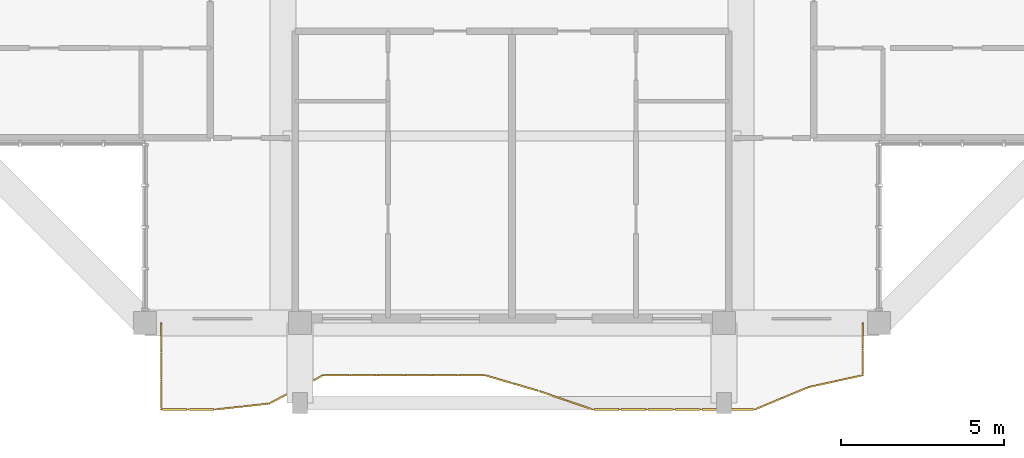
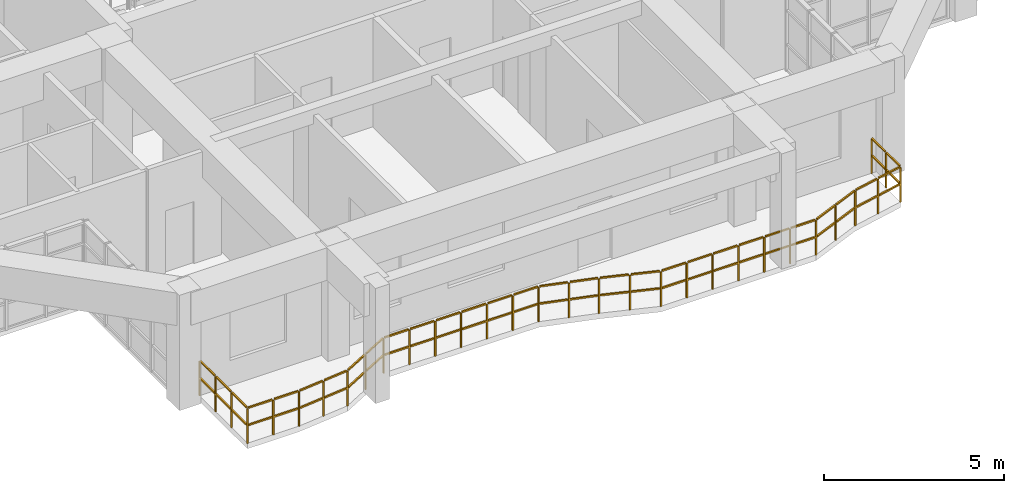
# One storey, part 23 of 27: 1 railing.
"""IFC4 building model written with IfcOpenShell, lengths in metres."""

from ifc_helpers import new_model, si_unit, direction, frame, origin, origin_2d, place, context, subcontext, project, spatial, rectangle, extrude, material, type_object, element, save


model = new_model("IFC4")

# Units and contexts
model_context = context("Model", 3, precision=1e-05, world=origin(), true_north=direction((0.0, 1.0)))
body_context = subcontext(model_context, "Body", "Model", "MODEL_VIEW")
ifc_project = project(units=[si_unit("LENGTHUNIT", "METRE"), si_unit("AREAUNIT", "SQUARE_METRE"), si_unit("VOLUMEUNIT", "CUBIC_METRE"), si_unit("PLANEANGLEUNIT", "RADIAN"), si_unit("MASSUNIT", "GRAM", prefix="KILO")], contexts=[model_context])

# Site, building, storey
site_placement = place(None, origin())
site = spatial("IfcSite", under=ifc_project, at=site_placement, CompositionType="ELEMENT")
building_placement = place(site_placement, origin())
building = spatial("IfcBuilding", under=site, at=building_placement, Name="Saelheon Loggia Tower", CompositionType="ELEMENT")
storey_placement = place(building_placement, frame((0.0, 0.0, 226.199951171875)))
storey = spatial("IfcBuildingStorey", under=building, at=storey_placement, Name="L70", CompositionType="ELEMENT", Elevation=226.199951171875)

# Railing
ifc_material = material(Name="Architectural Precast Concrete and Laminated Glass Guard", Category="concrete")
railing_type = type_object("IfcRailingType", Name="Guard_Loggia_RL_LOG", PredefinedType="BALUSTRADE", material=ifc_material)
railing_placement = place(storey_placement, frame((27.25, 6.0, 0.0)))
element("IfcRailing", 1, at=railing_placement, inside=storey, type_object=railing_type, Name="L70 South Loggia Balustrade", PredefinedType="BALUSTRADE", context=body_context, shape_type="SweptSolid", body=[
    extrude(rectangle(XDim=0.048095703125, YDim=0.048095703125, at=origin_2d()), frame((0.0, -0.033203125, 1.19580078125), z_axis=(0.0, -1.0, 0.0), x_axis=(1.0, 0.0, 0.0)), (0.0, 0.0, 1.0), 0.81689453125),
    extrude(rectangle(XDim=0.048095703125, YDim=0.048095703125, at=origin_2d()), frame((0.0, -0.033203125, 0.60986328125), z_axis=(0.0, -1.0, 0.0), x_axis=(1.0, 0.0, 0.0)), (0.0, 0.0, 1.0), 0.81689453125),
    extrude(rectangle(XDim=0.048095703125, YDim=0.048095703125, at=origin_2d()), frame((0.0, -0.91650390625, 1.19580078125), z_axis=(0.0, -1.0, 0.0), x_axis=(1.0, 0.0, 0.0)), (0.0, 0.0, 1.0), 0.81689453125),
    extrude(rectangle(XDim=0.048095703125, YDim=0.048095703125, at=origin_2d()), frame((0.0, -0.91650390625, 0.60986328125), z_axis=(0.0, -1.0, 0.0), x_axis=(1.0, 0.0, 0.0)), (0.0, 0.0, 1.0), 0.81689453125),
    extrude(rectangle(XDim=0.048095703125, YDim=0.048095703125, at=origin_2d()), frame((0.0, -1.7998046875, 1.19580078125), z_axis=(0.0, -1.0, 0.0), x_axis=(1.0, 0.0, 0.0)), (0.0, 0.0, 1.0), 0.81689453125),
    extrude(rectangle(XDim=0.048095703125, YDim=0.048095703125, at=origin_2d()), frame((0.0, -1.7998046875, 0.60986328125), z_axis=(0.0, -1.0, 0.0), x_axis=(1.0, 0.0, 0.0)), (0.0, 0.0, 1.0), 0.81689453125),
    extrude(rectangle(XDim=0.048095703125, YDim=0.048095703125, at=origin_2d()), frame((0.033203125, -2.64990234375, 1.19580078125), z_axis=(1.0, 0.0, 0.0), x_axis=(0.0, 1.0, 0.0)), (0.0, 0.0, 1.0), 0.760498046875),
    extrude(rectangle(XDim=0.048095703125, YDim=0.048095703125, at=origin_2d()), frame((0.033203125, -2.64990234375, 0.60986328125), z_axis=(1.0, 0.0, 0.0), x_axis=(0.0, 1.0, 0.0)), (0.0, 0.0, 1.0), 0.760498046875),
    extrude(rectangle(XDim=0.048095703125, YDim=0.048095703125, at=origin_2d()), frame((0.860107421875, -2.64990234375, 1.19580078125), z_axis=(1.0, 0.0, 0.0), x_axis=(0.0, 1.0, 0.0)), (0.0, 0.0, 1.0), 0.760498046875),
    extrude(rectangle(XDim=0.048095703125, YDim=0.048095703125, at=origin_2d()), frame((0.860107421875, -2.64990234375, 0.60986328125), z_axis=(1.0, 0.0, 0.0), x_axis=(0.0, 1.0, 0.0)), (0.0, 0.0, 1.0), 0.760498046875),
    extrude(rectangle(XDim=0.048095703125, YDim=0.048095703125, at=origin_2d()), frame((1.686767578125, -2.646240234375, 1.19580078125), z_axis=(0.994070204711, 0.108740186255, 0.0), x_axis=(-0.108740186255, 0.994070204711, 0.0)), (0.0, 0.0, 1.0), 0.765380859375),
    extrude(rectangle(XDim=0.048095703125, YDim=0.048095703125, at=origin_2d()), frame((1.686767578125, -2.646240234375, 0.60986328125), z_axis=(0.994070204711, 0.108740186255, 0.0), x_axis=(-0.108740186255, 0.994070204711, 0.0)), (0.0, 0.0, 1.0), 0.765380859375),
    extrude(rectangle(XDim=0.048095703125, YDim=0.048095703125, at=origin_2d()), frame((2.513671875, -2.555908203125, 1.19580078125), z_axis=(0.994070204711, 0.108740186255, 0.0), x_axis=(-0.108740186255, 0.994070204711, 0.0)), (0.0, 0.0, 1.0), 0.765380859375),
    extrude(rectangle(XDim=0.048095703125, YDim=0.048095703125, at=origin_2d()), frame((2.513671875, -2.555908203125, 0.60986328125), z_axis=(0.994070204711, 0.108740186255, 0.0), x_axis=(-0.108740186255, 0.994070204711, 0.0)), (0.0, 0.0, 1.0), 0.765380859375),
    extrude(rectangle(XDim=0.048095703125, YDim=0.048095703125, at=origin_2d()), frame((3.337158203125, -2.45361328125, 1.19580078125), z_axis=(0.885255331469, 0.465105362371, 0.0), x_axis=(-0.465105362371, 0.885255331469, 0.0)), (0.0, 0.0, 1.0), 0.86767578125),
    extrude(rectangle(XDim=0.048095703125, YDim=0.048095703125, at=origin_2d()), frame((3.337158203125, -2.45361328125, 0.60986328125), z_axis=(0.885255331469, 0.465105362371, 0.0), x_axis=(-0.465105362371, 0.885255331469, 0.0)), (0.0, 0.0, 1.0), 0.86767578125),
    extrude(rectangle(XDim=0.048095703125, YDim=0.048095703125, at=origin_2d()), frame((4.1640625, -2.01904296875, 1.19580078125), z_axis=(0.885255331469, 0.465105362371, 0.0), x_axis=(-0.465105362371, 0.885255331469, 0.0)), (0.0, 0.0, 1.0), 0.86767578125),
    extrude(rectangle(XDim=0.048095703125, YDim=0.048095703125, at=origin_2d()), frame((4.1640625, -2.01904296875, 0.60986328125), z_axis=(0.885255331469, 0.465105362371, 0.0), x_axis=(-0.465105362371, 0.885255331469, 0.0)), (0.0, 0.0, 1.0), 0.86767578125),
    extrude(rectangle(XDim=0.048095703125, YDim=0.048095703125, at=origin_2d()), frame((4.99462890625, -1.60009765625, 1.19580078125), z_axis=(1.0, 0.0, 0.0), x_axis=(0.0, 1.0, 0.0)), (0.0, 0.0, 1.0), 0.760498046875),
    extrude(rectangle(XDim=0.048095703125, YDim=0.048095703125, at=origin_2d()), frame((4.99462890625, -1.60009765625, 0.60986328125), z_axis=(1.0, 0.0, 0.0), x_axis=(0.0, 1.0, 0.0)), (0.0, 0.0, 1.0), 0.760498046875),
    extrude(rectangle(XDim=0.048095703125, YDim=0.048095703125, at=origin_2d()), frame((5.82177734375, -1.60009765625, 1.19580078125), z_axis=(1.0, 0.0, 0.0), x_axis=(0.0, 1.0, 0.0)), (0.0, 0.0, 1.0), 0.760498046875),
    extrude(rectangle(XDim=0.048095703125, YDim=0.048095703125, at=origin_2d()), frame((5.82177734375, -1.60009765625, 0.60986328125), z_axis=(1.0, 0.0, 0.0), x_axis=(0.0, 1.0, 0.0)), (0.0, 0.0, 1.0), 0.760498046875),
    extrude(rectangle(XDim=0.048095703125, YDim=0.048095703125, at=origin_2d()), frame((6.648681640625, -1.60009765625, 1.19580078125), z_axis=(1.0, 0.0, 0.0), x_axis=(0.0, 1.0, 0.0)), (0.0, 0.0, 1.0), 0.760498046875),
    extrude(rectangle(XDim=0.048095703125, YDim=0.048095703125, at=origin_2d()), frame((6.648681640625, -1.60009765625, 0.60986328125), z_axis=(1.0, 0.0, 0.0), x_axis=(0.0, 1.0, 0.0)), (0.0, 0.0, 1.0), 0.760498046875),
    extrude(rectangle(XDim=0.048095703125, YDim=0.048095703125, at=origin_2d()), frame((7.4755859375, -1.60009765625, 1.19580078125), z_axis=(1.0, 0.0, 0.0), x_axis=(0.0, 1.0, 0.0)), (0.0, 0.0, 1.0), 0.760498046875),
    extrude(rectangle(XDim=0.048095703125, YDim=0.048095703125, at=origin_2d()), frame((7.4755859375, -1.60009765625, 0.60986328125), z_axis=(1.0, 0.0, 0.0), x_axis=(0.0, 1.0, 0.0)), (0.0, 0.0, 1.0), 0.760498046875),
    extrude(rectangle(XDim=0.048095703125, YDim=0.048095703125, at=origin_2d()), frame((8.302490234375, -1.60009765625, 1.19580078125), z_axis=(1.0, 0.0, 0.0), x_axis=(0.0, 1.0, 0.0)), (0.0, 0.0, 1.0), 0.760498046875),
    extrude(rectangle(XDim=0.048095703125, YDim=0.048095703125, at=origin_2d()), frame((8.302490234375, -1.60009765625, 0.60986328125), z_axis=(1.0, 0.0, 0.0), x_axis=(0.0, 1.0, 0.0)), (0.0, 0.0, 1.0), 0.760498046875),
    extrude(rectangle(XDim=0.048095703125, YDim=0.048095703125, at=origin_2d()), frame((9.12939453125, -1.60009765625, 1.19580078125), z_axis=(1.0, 0.0, 0.0), x_axis=(0.0, 1.0, 0.0)), (0.0, 0.0, 1.0), 0.760498046875),
    extrude(rectangle(XDim=0.048095703125, YDim=0.048095703125, at=origin_2d()), frame((9.12939453125, -1.60009765625, 0.60986328125), z_axis=(1.0, 0.0, 0.0), x_axis=(0.0, 1.0, 0.0)), (0.0, 0.0, 1.0), 0.760498046875),
    extrude(rectangle(XDim=0.048095703125, YDim=0.048095703125, at=origin_2d()), frame((9.955078125, -1.609375, 1.19580078125), z_axis=(0.959914251437, -0.280293827774, 0.0), x_axis=(0.280293827774, 0.959914251437, 0.0)), (0.0, 0.0, 1.0), 0.794921875),
    extrude(rectangle(XDim=0.048095703125, YDim=0.048095703125, at=origin_2d()), frame((9.955078125, -1.609375, 0.60986328125), z_axis=(0.959914251437, -0.280293827774, 0.0), x_axis=(0.280293827774, 0.959914251437, 0.0)), (0.0, 0.0, 1.0), 0.794921875),
    extrude(rectangle(XDim=0.048095703125, YDim=0.048095703125, at=origin_2d()), frame((10.781982421875, -1.850830078125, 1.19580078125), z_axis=(0.959914251437, -0.280293827774, 0.0), x_axis=(0.280293827774, 0.959914251437, 0.0)), (0.0, 0.0, 1.0), 0.794921875),
    extrude(rectangle(XDim=0.048095703125, YDim=0.048095703125, at=origin_2d()), frame((10.781982421875, -1.850830078125, 0.60986328125), z_axis=(0.959914251437, -0.280293827774, 0.0), x_axis=(0.280293827774, 0.959914251437, 0.0)), (0.0, 0.0, 1.0), 0.794921875),
    extrude(rectangle(XDim=0.048095703125, YDim=0.048095703125, at=origin_2d()), frame((11.6083984375, -2.09375, 1.19580078125), z_axis=(0.945967977164, -0.324260059489, 0.0), x_axis=(0.324260059489, 0.945967977164, 0.0)), (0.0, 0.0, 1.0), 0.8076171875),
    extrude(rectangle(XDim=0.048095703125, YDim=0.048095703125, at=origin_2d()), frame((11.6083984375, -2.09375, 0.60986328125), z_axis=(0.945967977164, -0.324260059489, 0.0), x_axis=(0.324260059489, 0.945967977164, 0.0)), (0.0, 0.0, 1.0), 0.8076171875),
    extrude(rectangle(XDim=0.048095703125, YDim=0.048095703125, at=origin_2d()), frame((12.435302734375, -2.377197265625, 1.19580078125), z_axis=(0.945967977164, -0.324260059489, 0.0), x_axis=(0.324260059489, 0.945967977164, 0.0)), (0.0, 0.0, 1.0), 0.8076171875),
    extrude(rectangle(XDim=0.048095703125, YDim=0.048095703125, at=origin_2d()), frame((12.435302734375, -2.377197265625, 0.60986328125), z_axis=(0.945967977164, -0.324260059489, 0.0), x_axis=(0.324260059489, 0.945967977164, 0.0)), (0.0, 0.0, 1.0), 0.8076171875),
    extrude(rectangle(XDim=0.048095703125, YDim=0.048095703125, at=origin_2d()), frame((13.263916015625, -2.64990234375, 1.19580078125), z_axis=(1.0, 0.0, 0.0), x_axis=(0.0, 1.0, 0.0)), (0.0, 0.0, 1.0), 0.760498046875),
    extrude(rectangle(XDim=0.048095703125, YDim=0.048095703125, at=origin_2d()), frame((13.263916015625, -2.64990234375, 0.60986328125), z_axis=(1.0, 0.0, 0.0), x_axis=(0.0, 1.0, 0.0)), (0.0, 0.0, 1.0), 0.760498046875),
    extrude(rectangle(XDim=0.048095703125, YDim=0.048095703125, at=origin_2d()), frame((14.0908203125, -2.64990234375, 1.19580078125), z_axis=(1.0, 0.0, 0.0), x_axis=(0.0, 1.0, 0.0)), (0.0, 0.0, 1.0), 0.760498046875),
    extrude(rectangle(XDim=0.048095703125, YDim=0.048095703125, at=origin_2d()), frame((14.0908203125, -2.64990234375, 0.60986328125), z_axis=(1.0, 0.0, 0.0), x_axis=(0.0, 1.0, 0.0)), (0.0, 0.0, 1.0), 0.760498046875),
    extrude(rectangle(XDim=0.048095703125, YDim=0.048095703125, at=origin_2d()), frame((14.917724609375, -2.64990234375, 1.19580078125), z_axis=(1.0, 0.0, 0.0), x_axis=(0.0, 1.0, 0.0)), (0.0, 0.0, 1.0), 0.760498046875),
    extrude(rectangle(XDim=0.048095703125, YDim=0.048095703125, at=origin_2d()), frame((14.917724609375, -2.64990234375, 0.60986328125), z_axis=(1.0, 0.0, 0.0), x_axis=(0.0, 1.0, 0.0)), (0.0, 0.0, 1.0), 0.760498046875),
    extrude(rectangle(XDim=0.048095703125, YDim=0.048095703125, at=origin_2d()), frame((15.744873046875, -2.64990234375, 1.19580078125), z_axis=(1.0, 0.0, 0.0), x_axis=(0.0, 1.0, 0.0)), (0.0, 0.0, 1.0), 0.760498046875),
    extrude(rectangle(XDim=0.048095703125, YDim=0.048095703125, at=origin_2d()), frame((15.744873046875, -2.64990234375, 0.60986328125), z_axis=(1.0, 0.0, 0.0), x_axis=(0.0, 1.0, 0.0)), (0.0, 0.0, 1.0), 0.760498046875),
    extrude(rectangle(XDim=0.048095703125, YDim=0.048095703125, at=origin_2d()), frame((16.57177734375, -2.64990234375, 1.19580078125), z_axis=(1.0, 0.0, 0.0), x_axis=(0.0, 1.0, 0.0)), (0.0, 0.0, 1.0), 0.760498046875),
    extrude(rectangle(XDim=0.048095703125, YDim=0.048095703125, at=origin_2d()), frame((16.57177734375, -2.64990234375, 0.60986328125), z_axis=(1.0, 0.0, 0.0), x_axis=(0.0, 1.0, 0.0)), (0.0, 0.0, 1.0), 0.760498046875),
    extrude(rectangle(XDim=0.048095703125, YDim=0.048095703125, at=origin_2d()), frame((17.398681640625, -2.64990234375, 1.19580078125), z_axis=(1.0, 0.0, 0.0), x_axis=(0.0, 1.0, 0.0)), (0.0, 0.0, 1.0), 0.760498046875),
    extrude(rectangle(XDim=0.048095703125, YDim=0.048095703125, at=origin_2d()), frame((17.398681640625, -2.64990234375, 0.60986328125), z_axis=(1.0, 0.0, 0.0), x_axis=(0.0, 1.0, 0.0)), (0.0, 0.0, 1.0), 0.760498046875),
    extrude(rectangle(XDim=0.048095703125, YDim=0.048095703125, at=origin_2d()), frame((18.22314453125, -2.63720703125, 1.19580078125), z_axis=(0.923391185158, 0.383860286006, 0.0), x_axis=(-0.383860286006, 0.923391185158, 0.0)), (0.0, 0.0, 1.0), 0.8291015625),
    extrude(rectangle(XDim=0.048095703125, YDim=0.048095703125, at=origin_2d()), frame((18.22314453125, -2.63720703125, 0.60986328125), z_axis=(0.923391185158, 0.383860286006, 0.0), x_axis=(-0.383860286006, 0.923391185158, 0.0)), (0.0, 0.0, 1.0), 0.8291015625),
    extrude(rectangle(XDim=0.048095703125, YDim=0.048095703125, at=origin_2d()), frame((19.050048828125, -2.29345703125, 1.19580078125), z_axis=(0.923391185158, 0.383860286006, 0.0), x_axis=(-0.383860286006, 0.923391185158, 0.0)), (0.0, 0.0, 1.0), 0.8291015625),
    extrude(rectangle(XDim=0.048095703125, YDim=0.048095703125, at=origin_2d()), frame((19.050048828125, -2.29345703125, 0.60986328125), z_axis=(0.923391185158, 0.383860286006, 0.0), x_axis=(-0.383860286006, 0.923391185158, 0.0)), (0.0, 0.0, 1.0), 0.8291015625),
    extrude(rectangle(XDim=0.048095703125, YDim=0.048095703125, at=origin_2d()), frame((19.878662109375, -1.955322265625, 1.19580078125), z_axis=(0.976834118555, 0.213997908464, 0.0), x_axis=(-0.213997908464, 0.976834118555, 0.0)), (0.0, 0.0, 1.0), 0.780029296875),
    extrude(rectangle(XDim=0.048095703125, YDim=0.048095703125, at=origin_2d()), frame((19.878662109375, -1.955322265625, 0.60986328125), z_axis=(0.976834118555, 0.213997908464, 0.0), x_axis=(-0.213997908464, 0.976834118555, 0.0)), (0.0, 0.0, 1.0), 0.780029296875),
    extrude(rectangle(XDim=0.048095703125, YDim=0.048095703125, at=origin_2d()), frame((20.70556640625, -1.774169921875, 1.19580078125), z_axis=(0.976834118555, 0.213997908464, 0.0), x_axis=(-0.213997908464, 0.976834118555, 0.0)), (0.0, 0.0, 1.0), 0.780029296875),
    extrude(rectangle(XDim=0.048095703125, YDim=0.048095703125, at=origin_2d()), frame((20.70556640625, -1.774169921875, 0.60986328125), z_axis=(0.976834118555, 0.213997908464, 0.0), x_axis=(-0.213997908464, 0.976834118555, 0.0)), (0.0, 0.0, 1.0), 0.780029296875),
    extrude(rectangle(XDim=0.048095703125, YDim=0.048095703125, at=origin_2d()), frame((21.5, -1.56689453125, 1.19580078125), z_axis=(0.0, 1.0, 0.0), x_axis=(-1.0, 0.0, 0.0)), (0.0, 0.0, 1.0), 0.733642578125),
    extrude(rectangle(XDim=0.048095703125, YDim=0.048095703125, at=origin_2d()), frame((21.5, -1.56689453125, 0.60986328125), z_axis=(0.0, 1.0, 0.0), x_axis=(-1.0, 0.0, 0.0)), (0.0, 0.0, 1.0), 0.733642578125),
    extrude(rectangle(XDim=0.048095703125, YDim=0.048095703125, at=origin_2d()), frame((21.5, -0.766845703125, 1.19580078125), z_axis=(0.0, 1.0, 0.0), x_axis=(-1.0, 0.0, 0.0)), (0.0, 0.0, 1.0), 0.733642578125),
    extrude(rectangle(XDim=0.048095703125, YDim=0.048095703125, at=origin_2d()), frame((21.5, -0.766845703125, 0.60986328125), z_axis=(0.0, 1.0, 0.0), x_axis=(-1.0, 0.0, 0.0)), (0.0, 0.0, 1.0), 0.733642578125),
    extrude(rectangle(XDim=0.0419921875, YDim=0.0419921875, at=origin_2d()), origin(), (0.0, 0.0, 1.0), 1.16796875),
    extrude(rectangle(XDim=0.0419921875, YDim=0.0419921875, at=origin_2d()), frame((0.0, -0.88330078125, 0.0)), (0.0, 0.0, 1.0), 1.16796875),
    extrude(rectangle(XDim=0.0419921875, YDim=0.0419921875, at=origin_2d()), frame((0.0, -1.7666015625, 0.0)), (0.0, 0.0, 1.0), 1.16796875),
    extrude(rectangle(XDim=0.0419921875, YDim=0.0419921875, at=origin_2d()), frame((0.0, -2.64990234375, 0.0)), (0.0, 0.0, 1.0), 1.16796875),
    extrude(rectangle(XDim=0.0419921875, YDim=0.0419921875, at=origin_2d()), frame((0.826904296875, -2.64990234375, 0.0)), (0.0, 0.0, 1.0), 1.16796875),
    extrude(rectangle(XDim=0.0419921875, YDim=0.0419921875, at=origin_2d()), frame((1.65380859375, -2.64990234375, 0.0)), (0.0, 0.0, 1.0), 1.16796875),
    extrude(rectangle(XDim=0.0419921875, YDim=0.0419921875, at=origin_2d()), frame((2.480712890625, -2.5595703125, 0.0)), (0.0, 0.0, 1.0), 1.16796875),
    extrude(rectangle(XDim=0.0419921875, YDim=0.0419921875, at=origin_2d()), frame((3.3076171875, -2.468994140625, 0.0)), (0.0, 0.0, 1.0), 1.16796875),
    extrude(rectangle(XDim=0.0419921875, YDim=0.0419921875, at=origin_2d()), frame((4.134521484375, -2.03466796875, 0.0)), (0.0, 0.0, 1.0), 1.16796875),
    extrude(rectangle(XDim=0.0419921875, YDim=0.0419921875, at=origin_2d()), frame((4.96142578125, -1.60009765625, 0.0)), (0.0, 0.0, 1.0), 1.16796875),
    extrude(rectangle(XDim=0.0419921875, YDim=0.0419921875, at=origin_2d()), frame((5.78857421875, -1.60009765625, 0.0)), (0.0, 0.0, 1.0), 1.16796875),
    extrude(rectangle(XDim=0.0419921875, YDim=0.0419921875, at=origin_2d()), frame((6.615478515625, -1.60009765625, 0.0)), (0.0, 0.0, 1.0), 1.16796875),
    extrude(rectangle(XDim=0.0419921875, YDim=0.0419921875, at=origin_2d()), frame((7.4423828125, -1.60009765625, 0.0)), (0.0, 0.0, 1.0), 1.16796875),
    extrude(rectangle(XDim=0.0419921875, YDim=0.0419921875, at=origin_2d()), frame((8.269287109375, -1.60009765625, 0.0)), (0.0, 0.0, 1.0), 1.16796875),
    extrude(rectangle(XDim=0.0419921875, YDim=0.0419921875, at=origin_2d()), frame((9.09619140625, -1.60009765625, 0.0)), (0.0, 0.0, 1.0), 1.16796875),
    extrude(rectangle(XDim=0.0419921875, YDim=0.0419921875, at=origin_2d()), frame((9.923095703125, -1.60009765625, 0.0)), (0.0, 0.0, 1.0), 1.16796875),
    extrude(rectangle(XDim=0.0419921875, YDim=0.0419921875, at=origin_2d()), frame((10.75, -1.841552734375, 0.0)), (0.0, 0.0, 1.0), 1.16796875),
    extrude(rectangle(XDim=0.0419921875, YDim=0.0419921875, at=origin_2d()), frame((11.576904296875, -2.0830078125, 0.0)), (0.0, 0.0, 1.0), 1.16796875),
    extrude(rectangle(XDim=0.0419921875, YDim=0.0419921875, at=origin_2d()), frame((12.40380859375, -2.366455078125, 0.0)), (0.0, 0.0, 1.0), 1.16796875),
    extrude(rectangle(XDim=0.0419921875, YDim=0.0419921875, at=origin_2d()), frame((13.230712890625, -2.64990234375, 0.0)), (0.0, 0.0, 1.0), 1.16796875),
    extrude(rectangle(XDim=0.0419921875, YDim=0.0419921875, at=origin_2d()), frame((14.0576171875, -2.64990234375, 0.0)), (0.0, 0.0, 1.0), 1.16796875),
    extrude(rectangle(XDim=0.0419921875, YDim=0.0419921875, at=origin_2d()), frame((14.884521484375, -2.64990234375, 0.0)), (0.0, 0.0, 1.0), 1.16796875),
    extrude(rectangle(XDim=0.0419921875, YDim=0.0419921875, at=origin_2d()), frame((15.71142578125, -2.64990234375, 0.0)), (0.0, 0.0, 1.0), 1.16796875),
    extrude(rectangle(XDim=0.0419921875, YDim=0.0419921875, at=origin_2d()), frame((16.53857421875, -2.64990234375, 0.0)), (0.0, 0.0, 1.0), 1.16796875),
    extrude(rectangle(XDim=0.0419921875, YDim=0.0419921875, at=origin_2d()), frame((17.365478515625, -2.64990234375, 0.0)), (0.0, 0.0, 1.0), 1.16796875),
    extrude(rectangle(XDim=0.0419921875, YDim=0.0419921875, at=origin_2d()), frame((18.1923828125, -2.64990234375, 0.0)), (0.0, 0.0, 1.0), 1.16796875),
    extrude(rectangle(XDim=0.0419921875, YDim=0.0419921875, at=origin_2d()), frame((19.019287109375, -2.30615234375, 0.0)), (0.0, 0.0, 1.0), 1.16796875),
    extrude(rectangle(XDim=0.0419921875, YDim=0.0419921875, at=origin_2d()), frame((19.84619140625, -1.96240234375, 0.0)), (0.0, 0.0, 1.0), 1.16796875),
    extrude(rectangle(XDim=0.0419921875, YDim=0.0419921875, at=origin_2d()), frame((20.673095703125, -1.78125, 0.0)), (0.0, 0.0, 1.0), 1.16796875),
    extrude(rectangle(XDim=0.0419921875, YDim=0.0419921875, at=origin_2d()), frame((21.5, -1.60009765625, 0.0)), (0.0, 0.0, 1.0), 1.16796875),
    extrude(rectangle(XDim=0.0419921875, YDim=0.0419921875, at=origin_2d()), frame((21.5, -0.800048828125, 0.0)), (0.0, 0.0, 1.0), 1.16796875),
    extrude(rectangle(XDim=0.0419921875, YDim=0.0419921875, at=origin_2d()), frame((21.5, 0.0, 0.0)), (0.0, 0.0, 1.0), 1.16796875),
])

save(model, "model.ifc")
